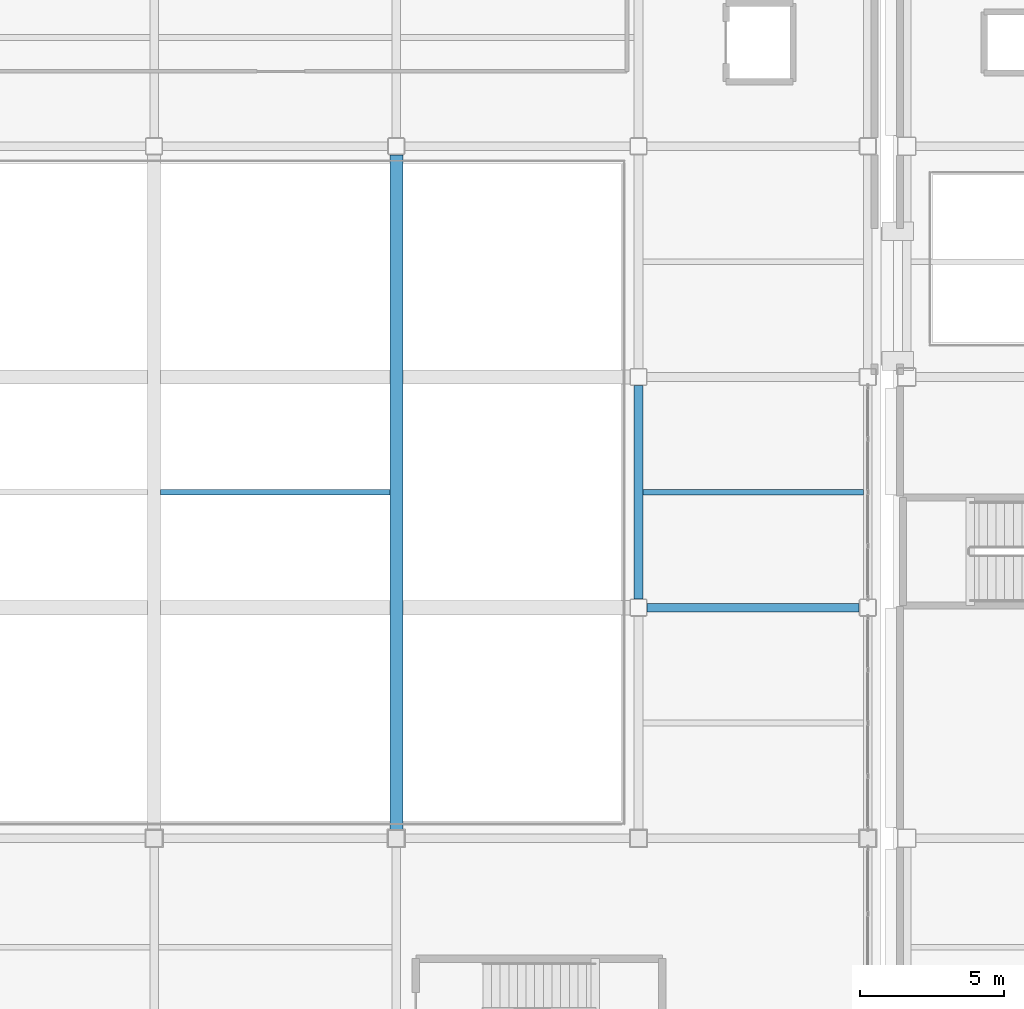
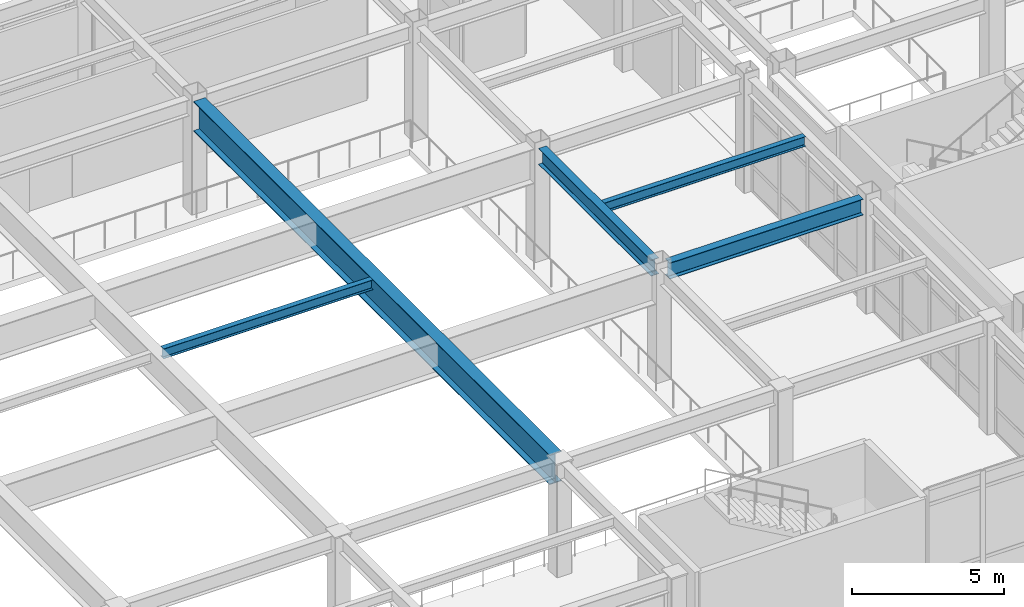
# One storey, part 19 of 172: 5 beams.
"""IFC4 building model written with IfcOpenShell, lengths in metres."""

from ifc_helpers import new_model, si_unit, direction, frame, origin, origin_2d, place, context, subcontext, project, spatial, i_section, extrude, material, material_profile, profile_set, type_object, element, save


model = new_model("IFC4")

# Units and contexts
model_context = context("Model", 3, precision=1e-05, world=origin(), true_north=direction((0.0, 1.0)))
body_context = subcontext(model_context, "Body", "Model", "MODEL_VIEW")
ifc_project = project(units=[si_unit("LENGTHUNIT", "METRE"), si_unit("AREAUNIT", "SQUARE_METRE"), si_unit("VOLUMEUNIT", "CUBIC_METRE"), si_unit("PLANEANGLEUNIT", "RADIAN"), si_unit("MASSUNIT", "GRAM", prefix="KILO")], contexts=[model_context])

# Site, building, storey
site_placement = place(None, origin())
site = spatial("IfcSite", under=ifc_project, at=site_placement, CompositionType="ELEMENT")
building_placement = place(site_placement, origin())
building = spatial("IfcBuilding", under=site, at=building_placement, Name="Kazehara Bluff Congress Hotel", CompositionType="ELEMENT")
storey_placement = place(building_placement, frame((0.0, 0.0, 5.39990234375)))
storey = spatial("IfcBuildingStorey", under=building, at=storey_placement, Name="L01", CompositionType="ELEMENT", Elevation=5.39990234375)

# Beams
ifc_material_1 = material(Name="Steel SN490B", Category="steel")
ifc_material_profile_1 = material_profile(ifc_material_1, i_section(OverallWidth=0.300048828125, OverallDepth=0.64990234375, WebThickness=0.011962890625, FlangeThickness=0.02001953125, FilletRadius=0.012939453125, at=origin_2d()))
ifc_profile_set_1 = profile_set([ifc_material_profile_1], Name="Steel SN490B")
beam_type_1 = type_object("IfcBeamType", Name="TP-G-03", PredefinedType="BEAM", material=ifc_profile_set_1)
beam_1_placement = place(storey_placement, frame((50.39990234375, 16.300048828125, 4.22509765625), z_axis=(0.0, 1.0, 0.0), x_axis=(-1.0, 0.0, 0.0)))
element("IfcBeam", 1, at=beam_1_placement, inside=storey, type_object=beam_type_1, Name="L01 girder G-03 62", PredefinedType="BEAM", context=body_context, shape_type="SweptSolid", body=[
    extrude(i_section(OverallWidth=0.300048828125, OverallDepth=0.64990234375, WebThickness=0.011962890625, FlangeThickness=0.02001953125, FilletRadius=0.012939453125, at=origin_2d()), origin(), (0.0, 0.0, 1.0), 7.39990234375),
])
beam_2_placement = place(storey_placement, frame((50.699951171875, 16.0, 4.22509765625), z_axis=(1.0, 0.0, 0.0), x_axis=(0.0, 1.0, 0.0)))
element("IfcBeam", 2, at=beam_2_placement, inside=storey, type_object=beam_type_1, Name="L01 girder G-03 83", PredefinedType="BEAM", context=body_context, shape_type="SweptSolid", body=[
    extrude(i_section(OverallWidth=0.300048828125, OverallDepth=0.64990234375, WebThickness=0.011962890625, FlangeThickness=0.02001953125, FilletRadius=0.012939453125, at=origin_2d()), origin(), (0.0, 0.0, 1.0), 7.35009765625),
])
ifc_material_2 = material(Name="Steel SN490B", Category="steel")
ifc_material_profile_2 = material_profile(ifc_material_2, i_section(OverallWidth=0.449951171875, OverallDepth=1.199951171875, WebThickness=0.02001953125, FlangeThickness=0.031982421875, at=origin_2d()))
ifc_profile_set_2 = profile_set([ifc_material_profile_2], Name="Steel SN490B")
beam_type_2 = type_object("IfcBeamType", Name="TP-G-10", PredefinedType="BEAM", material=ifc_profile_set_2)
beam_3_placement = place(storey_placement, frame((42.0, 8.300048828125, 3.9501953125), z_axis=(0.0, 1.0, 0.0), x_axis=(-1.0, 0.0, 0.0)))
element("IfcBeam", 3, at=beam_3_placement, inside=storey, type_object=beam_type_2, Name="L01 girder G-10 59", PredefinedType="BEAM", context=body_context, shape_type="SweptSolid", body=[
    extrude(i_section(OverallWidth=0.449951171875, OverallDepth=1.199951171875, WebThickness=0.02001953125, FlangeThickness=0.031982421875, at=origin_2d()), origin(), (0.0, 0.0, 1.0), 23.39990234375),
])
ifc_material_3 = material(Name="Steel SN400B", Category="steel")
ifc_material_profile_3 = material_profile(ifc_material_3, i_section(OverallWidth=0.199951171875, OverallDepth=0.39990234375, WebThickness=0.008056640625, FlangeThickness=0.012939453125, FilletRadius=0.012939453125, at=origin_2d()))
ifc_profile_set_3 = profile_set([ifc_material_profile_3], Name="Steel SN400B")
beam_type_3 = type_object("IfcBeamType", Name="TP-J-03", PredefinedType="JOIST", material=ifc_profile_set_3)
beam_4_placement = place(storey_placement, frame((33.824951171875, 20.0, 4.35009765625), z_axis=(1.0, 0.0, 0.0), x_axis=(0.0, 1.0, 0.0)))
element("IfcBeam", 4, at=beam_4_placement, inside=storey, type_object=beam_type_3, Name="L01 secondary joist J-03 8", PredefinedType="JOIST", context=body_context, shape_type="SweptSolid", body=[
    extrude(i_section(OverallWidth=0.199951171875, OverallDepth=0.39990234375, WebThickness=0.008056640625, FlangeThickness=0.012939453125, FilletRadius=0.012939453125, at=origin_2d()), origin(), (0.0, 0.0, 1.0), 7.949951171875),
])
beam_5_placement = place(storey_placement, frame((50.550048828125, 20.0, 4.35009765625), z_axis=(1.0, 0.0, 0.0), x_axis=(0.0, 1.0, 0.0)))
element("IfcBeam", 5, at=beam_5_placement, inside=storey, type_object=beam_type_3, Name="L01 secondary joist J-03 12", PredefinedType="JOIST", context=body_context, shape_type="SweptSolid", body=[
    extrude(i_section(OverallWidth=0.199951171875, OverallDepth=0.39990234375, WebThickness=0.008056640625, FlangeThickness=0.012939453125, FilletRadius=0.012939453125, at=origin_2d()), origin(), (0.0, 0.0, 1.0), 7.64990234375),
])

save(model, "model.ifc")
